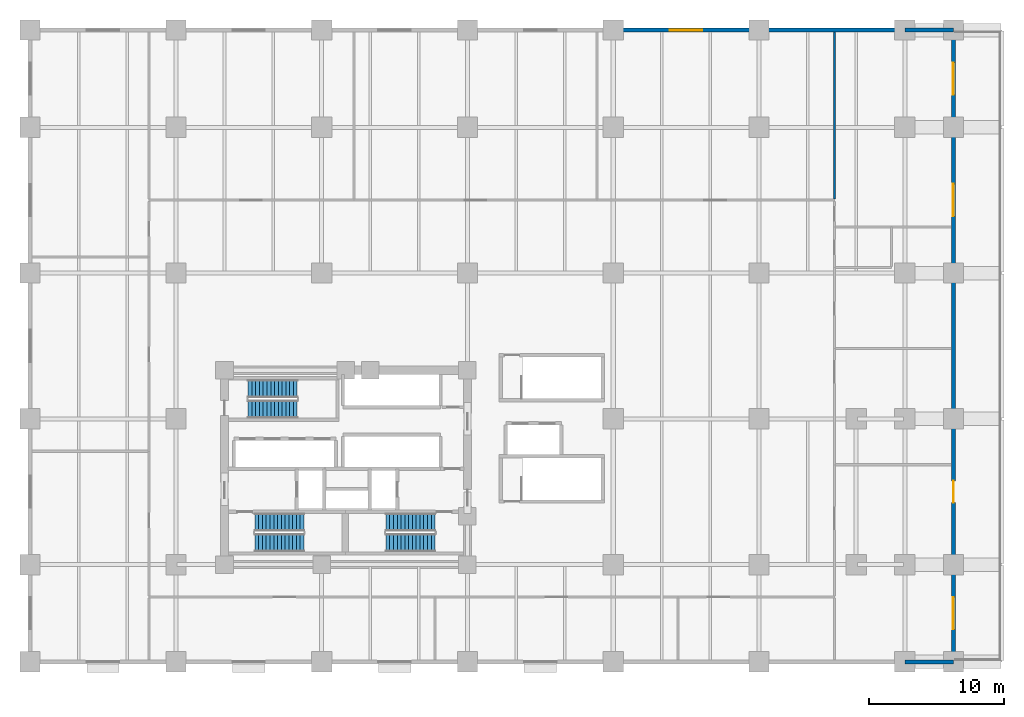
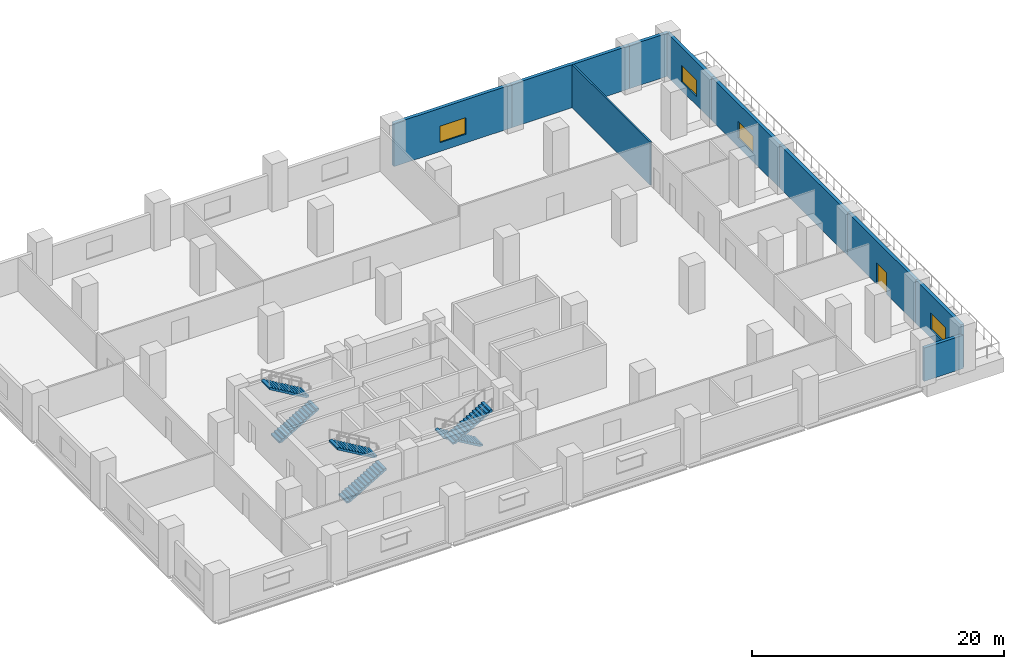
# One storey, part 6 of 8: 10 walls, 6 stair flights, 4 windows, 1 door, 5 openings, 3 elements without a shape of their own.
"""IFC4 building model written with IfcOpenShell, lengths in metres."""

from ifc_helpers import new_model, si_unit, direction, frame, frame_2d, origin, place, context, subcontext, project, spatial, polyline, rectangle, outline, extrude, material, layer, layer_set, type_object, element, fill, aggregate, save


model = new_model("IFC4")

# Units and contexts
model_context = context("Model", 3, precision=1e-05, world=origin(), true_north=direction((0.0, 1.0)))
body_context = subcontext(model_context, "Body", "Model", "MODEL_VIEW")
ifc_project = project(units=[si_unit("LENGTHUNIT", "METRE"), si_unit("AREAUNIT", "SQUARE_METRE"), si_unit("VOLUMEUNIT", "CUBIC_METRE"), si_unit("PLANEANGLEUNIT", "RADIAN"), si_unit("MASSUNIT", "GRAM", prefix="KILO")], contexts=[model_context])

# Site, building, storey
site_placement = place(None, origin())
site = spatial("IfcSite", under=ifc_project, at=site_placement, CompositionType="ELEMENT")
building_placement = place(site_placement, origin())
building = spatial("IfcBuilding", under=site, at=building_placement, Name="Solnavia Interchange Tower", CompositionType="ELEMENT")
storey_placement = place(building_placement, frame((0.0, 0.0, 19.39990234375)))
storey = spatial("IfcBuildingStorey", under=building, at=storey_placement, Name="L04", CompositionType="ELEMENT", Elevation=19.39990234375)

# Wall
ifc_material_1 = material(Name="Concrete C40/50", Category="concrete")
ifc_layer_1 = layer(ifc_material_1, 0.300048828125)
ifc_layer_set_1 = layer_set([ifc_layer_1], Name="Concrete C40/50")
wall_type_1 = type_object("IfcWallType", Name="Wall-ExtSpandrel-300", PredefinedType="STANDARD", material=ifc_layer_set_1)
wall_1_placement = place(storey_placement, frame((68.39990234375, 3.60009765625, 0.0), z_axis=(0.0, 0.0, 1.0), x_axis=(-1.0, 0.0, 0.0)))
element("IfcWall", 1, at=wall_1_placement, inside=storey, type_object=wall_type_1, Name="EXW-L04-S07 South podium wall", PredefinedType="STANDARD", context=body_context, shape_type="SweptSolid", body=[
    extrude(rectangle(XDim=3.599853515625, YDim=0.300048828125, at=frame_2d((1.7998046875, 0.0))), origin(), (0.0, 0.0, 1.0), 3.22998046875),
])

# Wall, opening, window
wall_2_placement = place(storey_placement, frame((68.39990234375, 10.800048828125, 0.0), z_axis=(0.0, 0.0, 1.0), x_axis=(0.0, -1.0, 0.0)))
wall_2 = element("IfcWall", 2, at=wall_2_placement, inside=storey, type_object=wall_type_1, Name="EXW-L04-E01 East podium wall", PredefinedType="STANDARD", context=body_context, shape_type="SweptSolid", body=[
    extrude(rectangle(XDim=7.199951171875, YDim=0.300048828125, at=frame_2d((3.60009765625, 0.0))), origin(), (0.0, 0.0, 1.0), 4.18505859375),
])
opening_1_placement = place(wall_2_placement, frame((2.39990234375, 0.0, 0.85009765625)))
opening_1 = element("IfcOpeningElement", 3, at=opening_1_placement, cuts=wall_2, Name="Opening WIN-06", PredefinedType="OPENING", context=body_context, shape_type="SweptSolid", body=[
    extrude(rectangle(XDim=2.39990234375, YDim=1.60009765625, at=frame_2d((1.199951171875, 0.800048828125))), frame((0.0, 0.16015625, 0.0), z_axis=(0.0, -1.0, 0.0), x_axis=(1.0, 0.0, 0.0)), (0.0, 0.0, 1.0), 0.320068359375),
])
ifc_material_2 = material(Name="Thermal-Break Aluminium & Low-E Glass", Category="aluminium")
window_type = type_object("IfcWindowType", Name="Window-Podium-2400x1600", PartitioningType="SINGLE_PANEL", PredefinedType="WINDOW", material=ifc_material_2)
window_1_placement = place(opening_1_placement, origin())
window_1 = element("IfcWindow", 4, at=window_1_placement, inside=storey, type_object=window_type, Name="WIN-L04-E01 East podium window", OverallHeight=1.60009765625, OverallWidth=2.39990234375, PartitioningType="SINGLE_PANEL", PredefinedType="WINDOW", context=body_context, shape_type="SweptSolid", body=[
    extrude(rectangle(XDim=2.39990234375, YDim=1.60009765625, at=frame_2d((1.199951171875, 0.800048828125))), frame((0.0, 0.030029296875, 0.0), z_axis=(0.0, -1.0, 0.0), x_axis=(1.0, 0.0, 0.0)), (0.0, 0.0, 1.0), 0.06005859375),
])
fill(opening_1, window_1)

# Wall, opening, door
wall_3_placement = place(storey_placement, frame((68.39990234375, 21.60009765625, 0.0), z_axis=(0.0, 0.0, 1.0), x_axis=(0.0, -1.0, 0.0)))
wall_3 = element("IfcWall", 5, at=wall_3_placement, inside=storey, type_object=wall_type_1, Name="EXW-L04-E02 East podium wall", PredefinedType="STANDARD", context=body_context, shape_type="SweptSolid", body=[
    extrude(rectangle(XDim=10.800048828125, YDim=0.300048828125, at=frame_2d((5.39990234375, 0.0))), origin(), (0.0, 0.0, 1.0), 4.18505859375),
])
opening_2_placement = place(wall_3_placement, frame((4.60009765625, 0.0, 0.0)))
opening_2 = element("IfcOpeningElement", 6, at=opening_2_placement, cuts=wall_3, Name="Opening EXD-04", PredefinedType="OPENING", context=body_context, shape_type="SweptSolid", body=[
    extrude(rectangle(XDim=1.60009765625, YDim=2.10009765625, at=frame_2d((0.800048828125, 1.050048828125))), frame((0.0, 0.16015625, 0.0), z_axis=(0.0, -1.0, 0.0), x_axis=(1.0, 0.0, 0.0)), (0.0, 0.0, 1.0), 0.320068359375),
])
ifc_material_3 = material(Name="Thermally Broken Aluminium & Laminated Glass", Category="aluminium")
door_type = type_object("IfcDoorType", Name="Door-TerraceGlazed-1600x2100", OperationType="DOUBLE_DOOR_SINGLE_SWING", PredefinedType="DOOR", material=ifc_material_3)
door_placement = place(opening_2_placement, origin())
door = element("IfcDoor", 7, at=door_placement, inside=storey, type_object=door_type, Name="EXD-L04-TER1 East podium terrace door", OperationType="SINGLE_SWING_LEFT", OverallHeight=2.10009765625, OverallWidth=1.60009765625, PredefinedType="DOOR", context=body_context, shape_type="SweptSolid", body=[
    extrude(rectangle(XDim=1.60009765625, YDim=2.10009765625, at=frame_2d((0.800048828125, 1.050048828125))), frame((0.0, 0.02490234375, 0.0), z_axis=(0.0, -1.0, 0.0), x_axis=(1.0, 0.0, 0.0)), (0.0, 0.0, 1.0), 0.050048828125),
])
fill(opening_2, door)

# Wall
wall_4_placement = place(storey_placement, frame((68.39990234375, 32.39990234375, 0.0), z_axis=(0.0, 0.0, 1.0), x_axis=(0.0, -1.0, 0.0)))
element("IfcWall", 8, at=wall_4_placement, inside=storey, type_object=wall_type_1, Name="EXW-L04-E03 East podium wall", PredefinedType="STANDARD", context=body_context, shape_type="SweptSolid", body=[
    extrude(rectangle(XDim=10.7998046875, YDim=0.300048828125, at=frame_2d((5.39990234375, 0.0))), origin(), (0.0, 0.0, 1.0), 4.18505859375),
])

# Wall, opening, window
wall_5_placement = place(storey_placement, frame((68.39990234375, 43.199951171875, 0.0), z_axis=(0.0, 0.0, 1.0), x_axis=(0.0, -1.0, 0.0)))
wall_5 = element("IfcWall", 9, at=wall_5_placement, inside=storey, type_object=wall_type_1, Name="EXW-L04-E04 East podium wall", PredefinedType="STANDARD", context=body_context, shape_type="SweptSolid", body=[
    extrude(rectangle(XDim=10.800048828125, YDim=0.300048828125, at=frame_2d((5.39990234375, 0.0))), origin(), (0.0, 0.0, 1.0), 4.18505859375),
])
opening_3_placement = place(wall_5_placement, frame((4.199951171875, 0.0, 0.85009765625)))
opening_3 = element("IfcOpeningElement", 10, at=opening_3_placement, cuts=wall_5, Name="Opening WIN-06", PredefinedType="OPENING", context=body_context, shape_type="SweptSolid", body=[
    extrude(rectangle(XDim=2.39990234375, YDim=1.60009765625, at=frame_2d((1.199951171875, 0.800048828125))), frame((0.0, 0.16015625, 0.0), z_axis=(0.0, -1.0, 0.0), x_axis=(1.0, 0.0, 0.0)), (0.0, 0.0, 1.0), 0.320068359375),
])
window_2_placement = place(opening_3_placement, origin())
window_2 = element("IfcWindow", 11, at=window_2_placement, inside=storey, type_object=window_type, Name="WIN-L04-E04 East podium window", OverallHeight=1.60009765625, OverallWidth=2.39990234375, PartitioningType="SINGLE_PANEL", PredefinedType="WINDOW", context=body_context, shape_type="SweptSolid", body=[
    extrude(rectangle(XDim=2.39990234375, YDim=1.60009765625, at=frame_2d((1.199951171875, 0.800048828125))), frame((0.0, 0.030029296875, 0.0), z_axis=(0.0, -1.0, 0.0), x_axis=(1.0, 0.0, 0.0)), (0.0, 0.0, 1.0), 0.06005859375),
])
fill(opening_3, window_2)

wall_6_placement = place(storey_placement, frame((68.39990234375, 50.39990234375, 0.0), z_axis=(0.0, 0.0, 1.0), x_axis=(0.0, -1.0, 0.0)))
wall_6 = element("IfcWall", 12, at=wall_6_placement, inside=storey, type_object=wall_type_1, Name="EXW-L04-E05 East podium wall", PredefinedType="STANDARD", context=body_context, shape_type="SweptSolid", body=[
    extrude(rectangle(XDim=7.199951171875, YDim=0.300048828125, at=frame_2d((3.60009765625, 0.0))), origin(), (0.0, 0.0, 1.0), 4.18505859375),
])
opening_4_placement = place(wall_6_placement, frame((2.39990234375, 0.0, 0.85009765625)))
opening_4 = element("IfcOpeningElement", 13, at=opening_4_placement, cuts=wall_6, Name="Opening WIN-06", PredefinedType="OPENING", context=body_context, shape_type="SweptSolid", body=[
    extrude(rectangle(XDim=2.39990234375, YDim=1.60009765625, at=frame_2d((1.199951171875, 0.800048828125))), frame((0.0, 0.16015625, 0.0), z_axis=(0.0, -1.0, 0.0), x_axis=(1.0, 0.0, 0.0)), (0.0, 0.0, 1.0), 0.320068359375),
])
window_3_placement = place(opening_4_placement, origin())
window_3 = element("IfcWindow", 14, at=window_3_placement, inside=storey, type_object=window_type, Name="WIN-L04-E05 East podium window", OverallHeight=1.60009765625, OverallWidth=2.39990234375, PartitioningType="SINGLE_PANEL", PredefinedType="WINDOW", context=body_context, shape_type="SweptSolid", body=[
    extrude(rectangle(XDim=2.39990234375, YDim=1.60009765625, at=frame_2d((1.199951171875, 0.800048828125))), frame((0.0, 0.030029296875, 0.0), z_axis=(0.0, -1.0, 0.0), x_axis=(1.0, 0.0, 0.0)), (0.0, 0.0, 1.0), 0.06005859375),
])
fill(opening_4, window_3)

wall_7_placement = place(storey_placement, frame((43.199951171875, 50.39990234375, 0.0), z_axis=(0.0, 0.0, 1.0), x_axis=(1.0, 0.0, 0.0)))
wall_7 = element("IfcWall", 15, at=wall_7_placement, inside=storey, type_object=wall_type_1, Name="EXW-L04-N05 North podium wall", PredefinedType="STANDARD", context=body_context, shape_type="SweptSolid", body=[
    extrude(rectangle(XDim=10.800048828125, YDim=0.300048828125, at=frame_2d((5.39990234375, 0.0))), origin(), (0.0, 0.0, 1.0), 4.18505859375),
])
opening_5_placement = place(wall_7_placement, frame((4.199951171875, 0.0, 0.85009765625)))
opening_5 = element("IfcOpeningElement", 16, at=opening_5_placement, cuts=wall_7, Name="Opening WIN-06", PredefinedType="OPENING", context=body_context, shape_type="SweptSolid", body=[
    extrude(rectangle(XDim=2.39990234375, YDim=1.60009765625, at=frame_2d((1.199951171875, 0.800048828125))), frame((0.0, 0.16015625, 0.0), z_axis=(0.0, -1.0, 0.0), x_axis=(1.0, 0.0, 0.0)), (0.0, 0.0, 1.0), 0.320068359375),
])
window_4_placement = place(opening_5_placement, origin())
window_4 = element("IfcWindow", 17, at=window_4_placement, inside=storey, type_object=window_type, Name="WIN-L04-N05 North podium window", OverallHeight=1.60009765625, OverallWidth=2.39990234375, PartitioningType="SINGLE_PANEL", PredefinedType="WINDOW", context=body_context, shape_type="SweptSolid", body=[
    extrude(rectangle(XDim=2.39990234375, YDim=1.60009765625, at=frame_2d((1.199951171875, 0.800048828125))), frame((0.0, 0.030029296875, 0.0), z_axis=(0.0, -1.0, 0.0), x_axis=(1.0, 0.0, 0.0)), (0.0, 0.0, 1.0), 0.06005859375),
])
fill(opening_5, window_4)

# Walls
wall_8_placement = place(storey_placement, frame((54.0, 50.39990234375, 0.0), z_axis=(0.0, 0.0, 1.0), x_axis=(1.0, 0.0, 0.0)))
element("IfcWall", 18, at=wall_8_placement, inside=storey, type_object=wall_type_1, Name="EXW-L04-N06 North podium wall", PredefinedType="STANDARD", context=body_context, shape_type="SweptSolid", body=[
    extrude(rectangle(XDim=10.800048828125, YDim=0.300048828125, at=frame_2d((5.39990234375, 0.0))), origin(), (0.0, 0.0, 1.0), 4.18505859375),
])
wall_9_placement = place(storey_placement, frame((64.800048828125, 50.39990234375, 0.0), z_axis=(0.0, 0.0, 1.0), x_axis=(1.0, 0.0, 0.0)))
element("IfcWall", 19, at=wall_9_placement, inside=storey, type_object=wall_type_1, Name="EXW-L04-N07 North podium wall", PredefinedType="STANDARD", context=body_context, shape_type="SweptSolid", body=[
    extrude(rectangle(XDim=3.599853515625, YDim=0.300048828125, at=frame_2d((1.7998046875, 0.0))), origin(), (0.0, 0.0, 1.0), 4.18505859375),
])
ifc_material_4 = material(Name="Gypsum Plasterboard & Steel Stud", Category="steel")
ifc_layer_2 = layer(ifc_material_4, 0.14990234375)
ifc_layer_set_2 = layer_set([ifc_layer_2], Name="Gypsum Plasterboard & Steel Stud")
wall_type_2 = type_object("IfcWallType", Name="Wall-Partition-150", PredefinedType="PARTITIONING", material=ifc_layer_set_2)
wall_10_placement = place(storey_placement, frame((59.60009765625, 37.87890625, 0.0), z_axis=(0.0, 0.0, 1.0), x_axis=(0.0, 1.0, 0.0)))
element("IfcWall", 20, at=wall_10_placement, inside=storey, type_object=wall_type_2, Name="PTW-L04-29 Interior partition wall", PredefinedType="PARTITIONING", context=body_context, shape_type="SweptSolid", body=[
    extrude(rectangle(XDim=12.3671875, YDim=0.14990234375, at=frame_2d((6.18359375, 0.0))), origin(), (0.0, 0.0, 1.0), 4.18505859375),
])

# Stair, stair flights
stair_type = type_object("IfcStairType", Name="Stair-Dogleg-RC", PredefinedType="HALF_TURN_STAIR", material=ifc_material_1)
stair_1_placement = place(storey_placement, origin())
stair_1 = element("IfcStair", 21, at=stair_1_placement, inside=storey, type_object=stair_type, Name="L04 Core exit stair 1", PredefinedType="HALF_TURN_STAIR")
stair_flight_type = type_object("IfcStairFlightType", Name="StairFlight-RC-150", PredefinedType="STRAIGHT", material=ifc_material_1)
stair_flight_1_placement = place(storey_placement, frame((16.64990234375, 12.409912109375, 0.0), z_axis=(0.0, 0.0, 1.0), x_axis=(1.0, 0.0, 0.0)))
stair_flight_1 = element("IfcStairFlight", 22, at=stair_flight_1_placement, type_object=stair_flight_type, Name="ST-1 flight 1", NumberOfRisers=14, NumberOfTreads=13, PredefinedType="STRAIGHT", RiserHeight=0.164285714, TreadLength=0.28, context=body_context, shape_type="SweptSolid", body=[
    extrude(outline(polyline([(0.0, 0.0), (0.0, 0.164306640625), (0.280029296875, 0.164306640625), (0.280029296875, 0.32861328125), (0.56005859375, 0.32861328125), (0.56005859375, 0.492919921875), (0.840087890625, 0.492919921875), (0.840087890625, 0.6572265625), (1.1201171875, 0.6572265625), (1.1201171875, 0.821533203125), (1.39990234375, 0.821533203125), (1.39990234375, 0.985595703125), (1.679931640625, 0.985595703125), (1.679931640625, 1.14990234375), (1.9599609375, 1.14990234375), (1.9599609375, 1.314208984375), (2.239990234375, 1.314208984375), (2.239990234375, 1.478515625), (2.52001953125, 1.478515625), (2.52001953125, 1.642822265625), (2.800048828125, 1.642822265625), (2.800048828125, 1.80712890625), (3.080078125, 1.80712890625), (3.080078125, 1.971435546875), (3.360107421875, 1.971435546875), (3.360107421875, 2.1357421875), (3.639892578125, 2.1357421875), (3.639892578125, 2.300048828125), (3.639892578125, 1.9619140625), (0.296142578125, 0.0), (0.0, 0.0)])), frame((0.0, 0.66015625, 0.0), z_axis=(0.0, -1.0, 0.0), x_axis=(1.0, 0.0, 0.0)), (0.0, 0.0, 1.0), 1.320068359375),
])
stair_flight_2_placement = place(storey_placement, frame((20.2900390625, 13.929931640625, 2.300048828125), z_axis=(0.0, 0.0, 1.0), x_axis=(-1.0, 0.0, 0.0)))
stair_flight_2 = element("IfcStairFlight", 23, at=stair_flight_2_placement, type_object=stair_flight_type, Name="ST-1 flight 2", NumberOfRisers=14, NumberOfTreads=13, PredefinedType="STRAIGHT", RiserHeight=0.164285714, TreadLength=0.28, context=body_context, shape_type="SweptSolid", body=[
    extrude(outline(polyline([(0.0, 0.0), (0.0, 0.164306640625), (0.280029296875, 0.164306640625), (0.280029296875, 0.32861328125), (0.56005859375, 0.32861328125), (0.56005859375, 0.492919921875), (0.840087890625, 0.492919921875), (0.840087890625, 0.6572265625), (1.1201171875, 0.6572265625), (1.1201171875, 0.821533203125), (1.39990234375, 0.821533203125), (1.39990234375, 0.985595703125), (1.679931640625, 0.985595703125), (1.679931640625, 1.14990234375), (1.9599609375, 1.14990234375), (1.9599609375, 1.314208984375), (2.239990234375, 1.314208984375), (2.239990234375, 1.478515625), (2.52001953125, 1.478515625), (2.52001953125, 1.642822265625), (2.800048828125, 1.642822265625), (2.800048828125, 1.80712890625), (3.080078125, 1.80712890625), (3.080078125, 1.971435546875), (3.360107421875, 1.971435546875), (3.360107421875, 2.1357421875), (3.639892578125, 2.1357421875), (3.639892578125, 2.300048828125), (3.639892578125, 1.9619140625), (0.296142578125, 0.0), (0.0, 0.0)])), frame((0.0, 0.66015625, 0.0), z_axis=(0.0, -1.0, 0.0), x_axis=(1.0, 0.0, 0.0)), (0.0, 0.0, 1.0), 1.320068359375),
])
aggregate(stair_1, [stair_flight_1, stair_flight_2])

stair_2_placement = place(storey_placement, origin())
stair_2 = element("IfcStair", 24, at=stair_2_placement, inside=storey, type_object=stair_type, Name="L04 Core exit stair 2", PredefinedType="HALF_TURN_STAIR")
stair_flight_3_placement = place(storey_placement, frame((30.0, 13.929931640625, 0.0), z_axis=(0.0, 0.0, 1.0), x_axis=(-1.0, 0.0, 0.0)))
stair_flight_3 = element("IfcStairFlight", 25, at=stair_flight_3_placement, type_object=stair_flight_type, Name="ST-2 flight 1", NumberOfRisers=14, NumberOfTreads=13, PredefinedType="STRAIGHT", RiserHeight=0.164285714, TreadLength=0.28, context=body_context, shape_type="SweptSolid", body=[
    extrude(outline(polyline([(0.0, 0.0), (0.0, 0.164306640625), (0.280029296875, 0.164306640625), (0.280029296875, 0.32861328125), (0.56005859375, 0.32861328125), (0.56005859375, 0.492919921875), (0.840087890625, 0.492919921875), (0.840087890625, 0.6572265625), (1.1201171875, 0.6572265625), (1.1201171875, 0.821533203125), (1.39990234375, 0.821533203125), (1.39990234375, 0.985595703125), (1.679931640625, 0.985595703125), (1.679931640625, 1.14990234375), (1.9599609375, 1.14990234375), (1.9599609375, 1.314208984375), (2.239990234375, 1.314208984375), (2.239990234375, 1.478515625), (2.52001953125, 1.478515625), (2.52001953125, 1.642822265625), (2.800048828125, 1.642822265625), (2.800048828125, 1.80712890625), (3.080078125, 1.80712890625), (3.080078125, 1.971435546875), (3.360107421875, 1.971435546875), (3.360107421875, 2.1357421875), (3.639892578125, 2.1357421875), (3.639892578125, 2.300048828125), (3.639892578125, 1.9619140625), (0.296142578125, 0.0), (0.0, 0.0)])), frame((0.0, 0.66015625, 0.0), z_axis=(0.0, -1.0, 0.0), x_axis=(1.0, 0.0, 0.0)), (0.0, 0.0, 1.0), 1.320068359375),
])
stair_flight_4_placement = place(storey_placement, frame((26.360107421875, 12.409912109375, 2.300048828125), z_axis=(0.0, 0.0, 1.0), x_axis=(1.0, 0.0, 0.0)))
stair_flight_4 = element("IfcStairFlight", 26, at=stair_flight_4_placement, type_object=stair_flight_type, Name="ST-2 flight 2", NumberOfRisers=14, NumberOfTreads=13, PredefinedType="STRAIGHT", RiserHeight=0.164285714, TreadLength=0.28, context=body_context, shape_type="SweptSolid", body=[
    extrude(outline(polyline([(0.0, 0.0), (0.0, 0.164306640625), (0.280029296875, 0.164306640625), (0.280029296875, 0.32861328125), (0.56005859375, 0.32861328125), (0.56005859375, 0.492919921875), (0.840087890625, 0.492919921875), (0.840087890625, 0.6572265625), (1.1201171875, 0.6572265625), (1.1201171875, 0.821533203125), (1.39990234375, 0.821533203125), (1.39990234375, 0.985595703125), (1.679931640625, 0.985595703125), (1.679931640625, 1.14990234375), (1.9599609375, 1.14990234375), (1.9599609375, 1.314208984375), (2.239990234375, 1.314208984375), (2.239990234375, 1.478515625), (2.52001953125, 1.478515625), (2.52001953125, 1.642822265625), (2.800048828125, 1.642822265625), (2.800048828125, 1.80712890625), (3.080078125, 1.80712890625), (3.080078125, 1.971435546875), (3.360107421875, 1.971435546875), (3.360107421875, 2.1357421875), (3.639892578125, 2.1357421875), (3.639892578125, 2.300048828125), (3.639892578125, 1.9619140625), (0.296142578125, 0.0), (0.0, 0.0)])), frame((0.0, 0.66015625, 0.0), z_axis=(0.0, -1.0, 0.0), x_axis=(1.0, 0.0, 0.0)), (0.0, 0.0, 1.0), 1.320068359375),
])
aggregate(stair_2, [stair_flight_3, stair_flight_4])

stair_3_placement = place(storey_placement, origin())
stair_3 = element("IfcStair", 27, at=stair_3_placement, inside=storey, type_object=stair_type, Name="L04 Core exit stair 3", PredefinedType="HALF_TURN_STAIR")
stair_flight_5_placement = place(storey_placement, frame((16.14990234375, 22.31005859375, 0.0), z_axis=(0.0, 0.0, 1.0), x_axis=(1.0, 0.0, 0.0)))
stair_flight_5 = element("IfcStairFlight", 28, at=stair_flight_5_placement, type_object=stair_flight_type, Name="ST-3 flight 1", NumberOfRisers=14, NumberOfTreads=13, PredefinedType="STRAIGHT", RiserHeight=0.164285714, TreadLength=0.28, context=body_context, shape_type="SweptSolid", body=[
    extrude(outline(polyline([(0.0, 0.0), (0.0, 0.164306640625), (0.280029296875, 0.164306640625), (0.280029296875, 0.32861328125), (0.56005859375, 0.32861328125), (0.56005859375, 0.492919921875), (0.840087890625, 0.492919921875), (0.840087890625, 0.6572265625), (1.1201171875, 0.6572265625), (1.1201171875, 0.821533203125), (1.39990234375, 0.821533203125), (1.39990234375, 0.985595703125), (1.679931640625, 0.985595703125), (1.679931640625, 1.14990234375), (1.9599609375, 1.14990234375), (1.9599609375, 1.314208984375), (2.239990234375, 1.314208984375), (2.239990234375, 1.478515625), (2.52001953125, 1.478515625), (2.52001953125, 1.642822265625), (2.800048828125, 1.642822265625), (2.800048828125, 1.80712890625), (3.080078125, 1.80712890625), (3.080078125, 1.971435546875), (3.360107421875, 1.971435546875), (3.360107421875, 2.1357421875), (3.639892578125, 2.1357421875), (3.639892578125, 2.300048828125), (3.639892578125, 1.9619140625), (0.296142578125, 0.0), (0.0, 0.0)])), frame((0.0, 0.66015625, 0.0), z_axis=(0.0, -1.0, 0.0), x_axis=(1.0, 0.0, 0.0)), (0.0, 0.0, 1.0), 1.320068359375),
])
stair_flight_6_placement = place(storey_placement, frame((19.7900390625, 23.830078125, 2.300048828125), z_axis=(0.0, 0.0, 1.0), x_axis=(-1.0, 0.0, 0.0)))
stair_flight_6 = element("IfcStairFlight", 29, at=stair_flight_6_placement, type_object=stair_flight_type, Name="ST-3 flight 2", NumberOfRisers=14, NumberOfTreads=13, PredefinedType="STRAIGHT", RiserHeight=0.164285714, TreadLength=0.28, context=body_context, shape_type="SweptSolid", body=[
    extrude(outline(polyline([(0.0, 0.0), (0.0, 0.164306640625), (0.280029296875, 0.164306640625), (0.280029296875, 0.32861328125), (0.56005859375, 0.32861328125), (0.56005859375, 0.492919921875), (0.840087890625, 0.492919921875), (0.840087890625, 0.6572265625), (1.1201171875, 0.6572265625), (1.1201171875, 0.821533203125), (1.39990234375, 0.821533203125), (1.39990234375, 0.985595703125), (1.679931640625, 0.985595703125), (1.679931640625, 1.14990234375), (1.9599609375, 1.14990234375), (1.9599609375, 1.314208984375), (2.239990234375, 1.314208984375), (2.239990234375, 1.478515625), (2.52001953125, 1.478515625), (2.52001953125, 1.642822265625), (2.800048828125, 1.642822265625), (2.800048828125, 1.80712890625), (3.080078125, 1.80712890625), (3.080078125, 1.971435546875), (3.360107421875, 1.971435546875), (3.360107421875, 2.1357421875), (3.639892578125, 2.1357421875), (3.639892578125, 2.300048828125), (3.639892578125, 1.9619140625), (0.296142578125, 0.0), (0.0, 0.0)])), frame((0.0, 0.66015625, 0.0), z_axis=(0.0, -1.0, 0.0), x_axis=(1.0, 0.0, 0.0)), (0.0, 0.0, 1.0), 1.320068359375),
])
aggregate(stair_3, [stair_flight_5, stair_flight_6])

save(model, "model.ifc")
